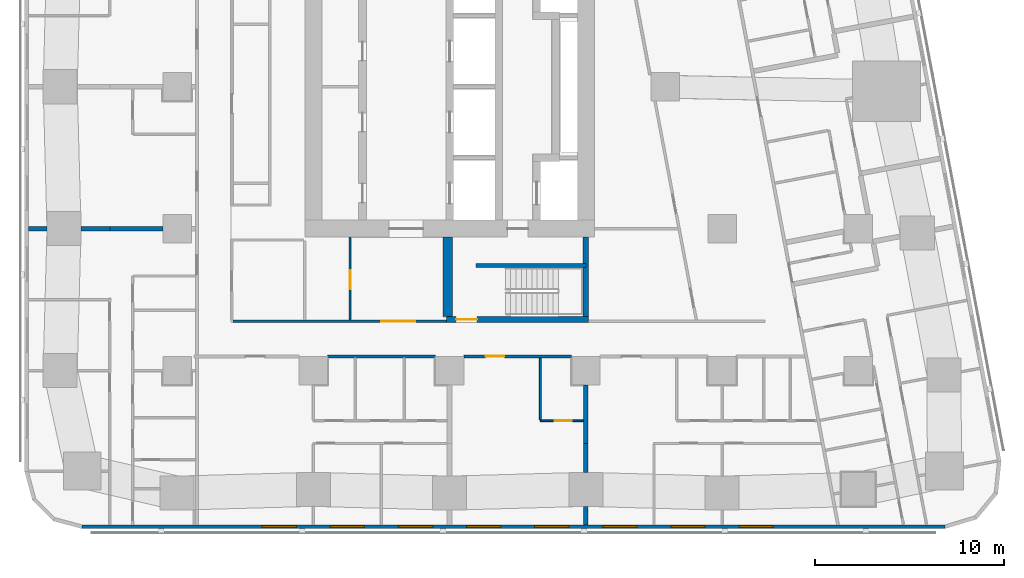
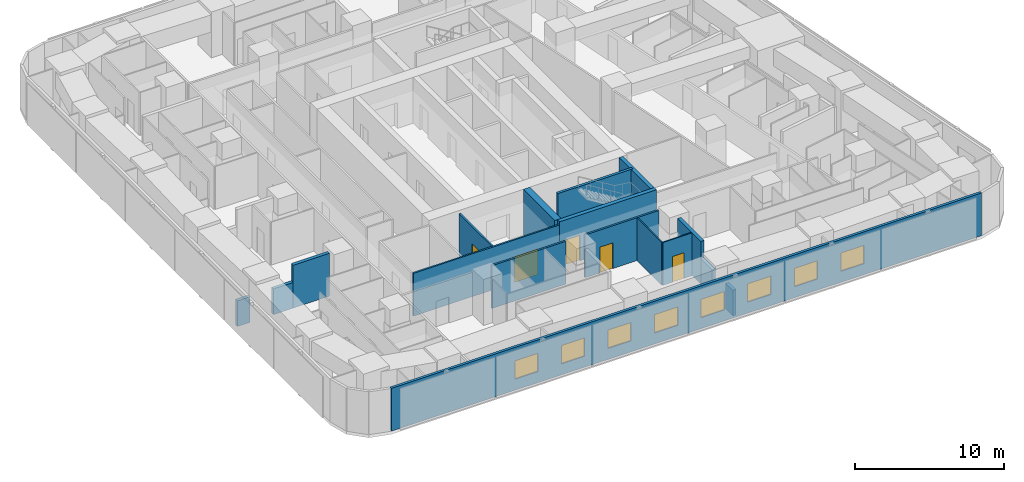
# One storey, part 3 of 15: 17 walls, 8 windows, 5 doors, 13 openings.
"""IFC4 building model written with IfcOpenShell, lengths in metres."""

import ifcopenshell
import ifcopenshell.guid

model = None  # the IFC model being written
_history = None  # IfcOwnerHistory: only IFC2X3 demands one
_inside = {}  # id of a spatial element -> (the spatial element, [elements in it])
_under = {}  # id of a project, library or spatial element -> (it, [spatial elements below it])
_declared = {}  # id of a project -> (the project, [libraries it declares])
_typed = {}  # id of a type object -> (the type object, [elements of that type])
_made_of = {}  # id of a material, layer set ... -> (it, [elements and type objects made of it])


def new_model(schema):
    """Start an empty IFC model of exactly this schema.

    Asked for "IFC4X3", IfcOpenShell would pick the latest addendum, in which some entities
    have other attributes; the version numbers below select the first issue.
    IFC2X3 requires an IfcOwnerHistory on every rooted entity: one is made here for all.
    """
    global model, _history
    if schema == "IFC4X3":
        model = ifcopenshell.file(schema_version=(4, 3, 0, 0))
    else:
        model = ifcopenshell.file(schema=schema)
    _inside.clear()
    _under.clear()
    _declared.clear()
    _typed.clear()
    _made_of.clear()
    _history = None
    if model.schema == "IFC2X3":
        org = make("IfcOrganization", Name="unknown")
        user = make(
            "IfcPersonAndOrganization",
            ThePerson=make("IfcPerson", FamilyName="unknown"),
            TheOrganization=org,
        )
        app = make(
            "IfcApplication",
            ApplicationDeveloper=org,
            Version="unknown",
            ApplicationFullName="unknown",
            ApplicationIdentifier="unknown",
        )
        _history = make(
            "IfcOwnerHistory",
            OwningUser=user,
            OwningApplication=app,
            ChangeAction="ADDED",
            CreationDate=0,
        )
    return model


def make(cls, **values):
    """One entity of the class cls with the attributes given. An attribute that is None is left unset."""
    return model.create_entity(
        cls, **{name: value for name, value in values.items() if value is not None}
    )


def rooted(cls, **values):
    """An entity with a GlobalId (a new one), such as an element, a storey or a relation."""
    return make(cls, GlobalId=ifcopenshell.guid.new(), OwnerHistory=_history, **values)


def si_unit(unit_type, name, prefix=None):
    """IfcSIUnit, for example si_unit("LENGTHUNIT", "METRE", prefix="MILLI")."""
    return make("IfcSIUnit", UnitType=unit_type, Prefix=prefix, Name=name)


def assignment(units):
    """IfcUnitAssignment: the units of a project."""
    return None if units is None else make("IfcUnitAssignment", Units=units)


def point(xyz):
    """IfcCartesianPoint."""
    return None if xyz is None else make("IfcCartesianPoint", Coordinates=xyz)


def direction(xyz):
    """IfcDirection."""
    return None if xyz is None else make("IfcDirection", DirectionRatios=xyz)


def frame(location, z_axis=None, x_axis=None):
    """IfcAxis2Placement3D, a coordinate frame: its origin and axes. An axis left out is left unset."""
    return make(
        "IfcAxis2Placement3D",
        Location=point(location),
        Axis=direction(z_axis),
        RefDirection=direction(x_axis),
    )


def frame_2d(location, x_axis=None):
    """IfcAxis2Placement2D, a coordinate frame in the plane: its origin and x axis."""
    return make(
        "IfcAxis2Placement2D", Location=point(location), RefDirection=direction(x_axis)
    )


def origin():
    """The frame at (0, 0, 0) with its axes left unset."""
    return frame((0.0, 0.0, 0.0))


def place(relative_to, where):
    """IfcLocalPlacement: puts the frame where relative to a parent placement (None: the world)."""
    return make(
        "IfcLocalPlacement", PlacementRelTo=relative_to, RelativePlacement=where
    )


def context(
    kind, dimensions, precision=None, world=None, true_north=None, identifier=None
):
    """IfcGeometricRepresentationContext, for example the 3D "Model" context."""
    return make(
        "IfcGeometricRepresentationContext",
        ContextIdentifier=identifier,
        ContextType=kind,
        CoordinateSpaceDimension=dimensions,
        Precision=precision,
        WorldCoordinateSystem=world,
        TrueNorth=true_north,
    )


def subcontext(parent, identifier, kind, view, scale=None):
    """IfcGeometricRepresentationSubContext, for example "Body" below "Model"."""
    return make(
        "IfcGeometricRepresentationSubContext",
        ContextIdentifier=identifier,
        ContextType=kind,
        ParentContext=parent,
        TargetScale=scale,
        TargetView=view,
    )


def project(units=None, contexts=None):
    """IfcProject with its units and contexts."""
    return rooted(
        "IfcProject",
        Name="project",
        RepresentationContexts=contexts,
        UnitsInContext=assignment(units),
    )


def spatial(cls, under=None, at=None, **own):
    """A site, building, storey or space (cls), placed at a placement, below another one or the project."""
    s = rooted(cls, ObjectPlacement=at, **own)
    if under is not None:
        _under.setdefault(under.id(), (under, []))[1].append(s)
    return s


def profile(cls, at=None, kind="AREA", **sizes):
    """A parametric profile (cls). Its sizes go by their IFC names, for example OverallWidth=200.0."""
    return make(cls, ProfileType=kind, Position=at, **sizes)


def rectangle(**sizes):
    """IfcRectangleProfileDef."""
    return profile("IfcRectangleProfileDef", **sizes)


def extrude(swept, where, along, depth):
    """IfcExtrudedAreaSolid: the profile swept, set in the frame where, extruded along a direction by depth."""
    return make(
        "IfcExtrudedAreaSolid",
        SweptArea=swept,
        Position=where,
        ExtrudedDirection=direction(along),
        Depth=depth,
    )


def shape(context_of_items, identifier, shape_type, items):
    """IfcShapeRepresentation: the items that make up one representation, for example the "Body"."""
    return make(
        "IfcShapeRepresentation",
        ContextOfItems=context_of_items,
        RepresentationIdentifier=identifier,
        RepresentationType=shape_type,
        Items=items,
    )


def material(Name=None, Category=None):
    """IfcMaterial."""
    return make("IfcMaterial", Name=Name, Category=Category)


def layer(
    of_material, thickness, ventilated=None, Name=None, Category=None, Priority=None
):
    """IfcMaterialLayer: one layer of a wall or slab, of a material (None: an air gap)."""
    return make(
        "IfcMaterialLayer",
        Material=of_material,
        LayerThickness=thickness,
        IsVentilated=ventilated,
        Name=Name,
        Category=Category,
        Priority=Priority,
    )


def layer_set(layers, Name=None):
    """IfcMaterialLayerSet."""
    return make("IfcMaterialLayerSet", MaterialLayers=layers, LayerSetName=Name)


def made_of(thing, what):
    """Note that an element or type object is made of a material, layer set ...; save() writes the relation."""
    if what is not None:
        _made_of.setdefault(what.id(), (what, []))[1].append(thing)
    return thing


def type_object(cls, material=None, **own):
    """A type object (cls), such as IfcWallType, which elements share."""
    return made_of(rooted(cls, **own), material)


def element(
    cls,
    number,
    at=None,
    inside=None,
    cuts=None,
    type_object=None,
    material=None,
    context=None,
    identifier="Body",
    shape_type=None,
    held_by="IfcProductDefinitionShape",
    body=None,
    shapes=None,
    **own,
):
    """One element of the class cls, such as IfcWall. Its Tag is "e" and its number.

    at: its placement. inside: the storey or other place that contains it. cuts: it is an
    opening in that element (IfcRelVoidsElement). A single representation is given by context,
    identifier, shape_type and body (its items); several are given by shapes. held_by: the class
    of the entity that holds the representations. save() writes the other relations.
    """
    e = rooted(cls, Tag="e%d" % number, ObjectPlacement=at, **own)
    if body is not None:
        shapes = [shape(context, identifier, shape_type, body)]
    if shapes is not None:
        e.Representation = make(held_by, Representations=shapes)
    if inside is not None:
        _inside.setdefault(inside.id(), (inside, []))[1].append(e)
    if cuts is not None:
        rooted(
            "IfcRelVoidsElement", RelatingBuildingElement=cuts, RelatedOpeningElement=e
        )
    if type_object is not None:
        _typed.setdefault(type_object.id(), (type_object, []))[1].append(e)
    return made_of(e, material)


def fill(opening, filler):
    """IfcRelFillsElement: the door or window that sits in an opening."""
    return rooted(
        "IfcRelFillsElement",
        RelatingOpeningElement=opening,
        RelatedBuildingElement=filler,
    )


def aggregate(whole, parts):
    """IfcRelAggregates: a whole, such as a stair, and the parts it consists of."""
    return rooted("IfcRelAggregates", RelatingObject=whole, RelatedObjects=parts)


def save(model, path):
    """Write the relations noted so far, then the file.

    IfcRelAggregates (storeys below a building ...), IfcRelContainedInSpatialStructure (elements
    in a storey), IfcRelDefinesByType, IfcRelAssociatesMaterial and IfcRelDeclares: one each for
    every whole, place, type object, material and project.
    """
    for whole, parts in _under.values():
        aggregate(whole, parts)
    for where, things in _inside.values():
        rooted(
            "IfcRelContainedInSpatialStructure",
            RelatedElements=things,
            RelatingStructure=where,
        )
    for kind, things in _typed.values():
        rooted("IfcRelDefinesByType", RelatedObjects=things, RelatingType=kind)
    for what, things in _made_of.values():
        rooted("IfcRelAssociatesMaterial", RelatedObjects=things, RelatingMaterial=what)
    for by, libraries in _declared.values():
        rooted("IfcRelDeclares", RelatingContext=by, RelatedDefinitions=libraries)
    model.write(path)


model = new_model("IFC4")

# Units and contexts
model_context = context("Model", 3, precision=1e-05, world=origin(), true_north=direction((0.0, 1.0)))
body_context = subcontext(model_context, "Body", "Model", "MODEL_VIEW")
ifc_project = project(units=[si_unit("LENGTHUNIT", "METRE"), si_unit("AREAUNIT", "SQUARE_METRE"), si_unit("VOLUMEUNIT", "CUBIC_METRE"), si_unit("PLANEANGLEUNIT", "RADIAN"), si_unit("MASSUNIT", "GRAM", prefix="KILO")], contexts=[model_context])

# Site, building, storey
site_placement = place(None, origin())
site = spatial("IfcSite", under=ifc_project, at=site_placement, CompositionType="ELEMENT")
building_placement = place(site_placement, origin())
building = spatial("IfcBuilding", under=site, at=building_placement, Name="Sheger Commons Tower", CompositionType="ELEMENT")
storey_placement = place(building_placement, frame((0.0, 0.0, 169.550048828125)))
storey = spatial("IfcBuildingStorey", under=building, at=storey_placement, Name="L43", CompositionType="ELEMENT", Elevation=169.550048828125)

# Wall, opening, door
ifc_material_1 = material(Name="Hollow concrete block masonry, skimmed both sides", Category="masonry")
ifc_layer_1 = layer(ifc_material_1, 0.14990234375)
ifc_layer_set_1 = layer_set([ifc_layer_1], Name="CORRIDOR WALL 150")
wall_type_1 = type_object("IfcWallType", Name="CORRIDOR WALL 150", PredefinedType="SOLIDWALL", material=ifc_layer_set_1)
wall_1_placement = place(storey_placement, frame((28.049072265625, 8.25, 0.0), z_axis=(0.0, 0.0, 1.0), x_axis=(-1.0, 0.0, 0.0)))
wall_1 = element("IfcWall", 1, at=wall_1_placement, inside=storey, type_object=wall_type_1, Name="Corridor wall L43", PredefinedType="SOLIDWALL", context=body_context, shape_type="SweptSolid", body=[
    extrude(rectangle(XDim=5.697998046875, YDim=0.14990234375, at=frame_2d((2.84912109375, 0.0))), origin(), (0.0, 0.0, 1.0), 3.5),
])
opening_1_placement = place(wall_1_placement, frame((3.549072265625, 0.0, 0.0)))
opening_1 = element("IfcOpeningElement", 2, at=opening_1_placement, cuts=wall_1, Name="Opening D1", PredefinedType="OPENING", context=body_context, shape_type="SweptSolid", body=[
    extrude(rectangle(XDim=1.0, YDim=2.10009765625, at=frame_2d((0.5, 1.050048828125))), frame((0.0, 0.0849609375, 0.0), z_axis=(0.0, -1.0, 0.0), x_axis=(1.0, 0.0, 0.0)), (0.0, 0.0, 1.0), 0.169921875),
])
ifc_material_2 = material(Name="Steel door set, fire rated", Category="steel")
door_type_1 = type_object("IfcDoorType", Name="FLAT ENTRANCE DOOR 1000x2100", OperationType="NOTDEFINED", PredefinedType="DOOR", material=ifc_material_2)
door_1_placement = place(opening_1_placement, origin())
door_1 = element("IfcDoor", 3, at=door_1_placement, inside=storey, type_object=door_type_1, Name="Flat entrance door", OperationType="SINGLE_SWING_RIGHT", OverallHeight=2.10009765625, OverallWidth=1.0, PredefinedType="DOOR", context=body_context, shape_type="SweptSolid", body=[
    extrude(rectangle(XDim=1.0, YDim=2.10009765625, at=frame_2d((0.5, 1.050048828125))), frame((0.0, 0.02490234375, 0.0), z_axis=(0.0, -1.0, 0.0), x_axis=(1.0, 0.0, 0.0)), (0.0, 0.0, 1.0), 0.050048828125),
])
fill(opening_1, door_1)

# Walls
wall_2_placement = place(storey_placement, frame((20.84912109375, 8.25, 0.0), z_axis=(0.0, 0.0, 1.0), x_axis=(-1.0, 0.0, 0.0)))
element("IfcWall", 4, at=wall_2_placement, inside=storey, type_object=wall_type_1, Name="Corridor wall L43", PredefinedType="SOLIDWALL", context=body_context, shape_type="SweptSolid", body=[
    extrude(rectangle(XDim=5.6982421875, YDim=0.14990234375, at=frame_2d((2.84912109375, 0.0))), origin(), (0.0, 0.0, 1.0), 3.5),
])
ifc_material_3 = material(Name="Dense concrete block masonry, plastered both sides (separating wall between flats)", Category="masonry")
ifc_layer_2 = layer(ifc_material_3, 0.25)
ifc_layer_set_2 = layer_set([ifc_layer_2], Name="DEMISING WALL 250")
wall_type_2 = type_object("IfcWallType", Name="DEMISING WALL 250", PredefinedType="SOLIDWALL", material=ifc_layer_set_2)
wall_3_placement = place(storey_placement, frame((-0.64990234375, 15.0, 0.0), z_axis=(0.0, 0.0, 1.0), x_axis=(1.0, 0.0, 0.0)))
element("IfcWall", 5, at=wall_3_placement, inside=storey, type_object=wall_type_2, Name="Demising wall L43", PredefinedType="SOLIDWALL", context=body_context, shape_type="SweptSolid", body=[
    extrude(rectangle(XDim=0.973876953125, YDim=0.25, at=frame_2d((0.48681640625, 0.0))), origin(), (0.0, 0.0, 1.0), 2.099853515625),
])
wall_4_placement = place(storey_placement, frame((2.1259765625, 15.0, 0.0), z_axis=(0.0, 0.0, 1.0), x_axis=(1.0, 0.0, 0.0)))
element("IfcWall", 6, at=wall_4_placement, inside=storey, type_object=wall_type_2, Name="Demising wall L43", PredefinedType="SOLIDWALL", context=body_context, shape_type="SweptSolid", body=[
    extrude(rectangle(XDim=1.52392578125, YDim=0.25, at=frame_2d((0.761962890625, 0.0))), origin(), (0.0, 0.0, 1.0), 2.099853515625),
])
wall_5_placement = place(storey_placement, frame((3.64990234375, 15.0, 0.0), z_axis=(0.0, 0.0, 1.0), x_axis=(1.0, 0.0, 0.0)))
element("IfcWall", 7, at=wall_5_placement, inside=storey, type_object=wall_type_2, Name="Demising wall L43", PredefinedType="SOLIDWALL", context=body_context, shape_type="SweptSolid", body=[
    extrude(rectangle(XDim=2.799072265625, YDim=0.25, at=frame_2d((1.3994140625, 0.0))), origin(), (0.0, 0.0, 1.0), 3.5),
])
wall_6_placement = place(storey_placement, frame((28.800048828125, -0.64990234375, 0.0), z_axis=(0.0, 0.0, 1.0), x_axis=(0.0, 1.0, 0.0)))
element("IfcWall", 8, at=wall_6_placement, inside=storey, type_object=wall_type_2, Name="Demising wall L43", PredefinedType="SOLIDWALL", context=body_context, shape_type="SweptSolid", body=[
    extrude(rectangle(XDim=0.973876953125, YDim=0.25, at=frame_2d((0.48681640625, 0.0))), origin(), (0.0, 0.0, 1.0), 2.099853515625),
])
wall_7_placement = place(storey_placement, frame((28.800048828125, 2.1259765625, 0.0), z_axis=(0.0, 0.0, 1.0), x_axis=(0.0, 1.0, 0.0)))
element("IfcWall", 9, at=wall_7_placement, inside=storey, type_object=wall_type_2, Name="Demising wall L43", PredefinedType="SOLIDWALL", context=body_context, shape_type="SweptSolid", body=[
    extrude(rectangle(XDim=1.52392578125, YDim=0.25, at=frame_2d((0.761962890625, 0.0))), origin(), (0.0, 0.0, 1.0), 2.099853515625),
])
wall_8_placement = place(storey_placement, frame((28.800048828125, 3.64990234375, 0.0), z_axis=(0.0, 0.0, 1.0), x_axis=(0.0, 1.0, 0.0)))
element("IfcWall", 10, at=wall_8_placement, inside=storey, type_object=wall_type_2, Name="Demising wall L43", PredefinedType="SOLIDWALL", context=body_context, shape_type="SweptSolid", body=[
    extrude(rectangle(XDim=3.09912109375, YDim=0.25, at=frame_2d((1.549560546875, 0.0))), origin(), (0.0, 0.0, 1.0), 3.5),
])

# Wall, openings, windows
ifc_material_4 = material(Name="Rendered concrete block masonry, dark grey", Category="masonry")
ifc_layer_3 = layer(ifc_material_4, 0.199951171875)
ifc_layer_set_3 = layer_set([ifc_layer_3], Name="FACADE WALL 200")
wall_type_3 = type_object("IfcWallType", Name="FACADE WALL 200", PredefinedType="SOLIDWALL", material=ifc_layer_set_3)
wall_9_placement = place(storey_placement, frame((2.1630859375, -0.75, 0.0), z_axis=(0.0, 0.0, 1.0), x_axis=(1.0, 0.0, 0.0)))
wall_9 = element("IfcWall", 11, at=wall_9_placement, inside=storey, type_object=wall_type_3, Name="Facade wall L43", PredefinedType="SOLIDWALL", context=body_context, shape_type="SweptSolid", body=[
    extrude(rectangle(XDim=45.6279296875, YDim=0.199951171875, at=frame_2d((22.81396484375, 0.0))), origin(), (0.0, 0.0, 1.0), 3.5),
])
opening_2_placement = place(wall_9_placement, frame((9.537109375, 0.0, 0.89990234375)))
opening_2 = element("IfcOpeningElement", 12, at=opening_2_placement, cuts=wall_9, Name="Opening W2", PredefinedType="OPENING", context=body_context, shape_type="SweptSolid", body=[
    extrude(rectangle(XDim=1.800048828125, YDim=1.5, at=frame_2d((0.89990234375, 0.75))), frame((0.0, 0.10986328125, 0.0), z_axis=(0.0, -1.0, 0.0), x_axis=(1.0, 0.0, 0.0)), (0.0, 0.0, 1.0), 0.219970703125),
])
opening_3_placement = place(wall_9_placement, frame((13.136962890625, 0.0, 0.89990234375)))
opening_3 = element("IfcOpeningElement", 13, at=opening_3_placement, cuts=wall_9, Name="Opening W2", PredefinedType="OPENING", context=body_context, shape_type="SweptSolid", body=[
    extrude(rectangle(XDim=1.800048828125, YDim=1.5, at=frame_2d((0.89990234375, 0.75))), frame((0.0, 0.10986328125, 0.0), z_axis=(0.0, -1.0, 0.0), x_axis=(1.0, 0.0, 0.0)), (0.0, 0.0, 1.0), 0.219970703125),
])
opening_4_placement = place(wall_9_placement, frame((16.737060546875, 0.0, 0.89990234375)))
opening_4 = element("IfcOpeningElement", 14, at=opening_4_placement, cuts=wall_9, Name="Opening W2", PredefinedType="OPENING", context=body_context, shape_type="SweptSolid", body=[
    extrude(rectangle(XDim=1.800048828125, YDim=1.5, at=frame_2d((0.89990234375, 0.75))), frame((0.0, 0.10986328125, 0.0), z_axis=(0.0, -1.0, 0.0), x_axis=(1.0, 0.0, 0.0)), (0.0, 0.0, 1.0), 0.219970703125),
])
opening_5_placement = place(wall_9_placement, frame((20.3369140625, 0.0, 0.89990234375)))
opening_5 = element("IfcOpeningElement", 15, at=opening_5_placement, cuts=wall_9, Name="Opening W2", PredefinedType="OPENING", context=body_context, shape_type="SweptSolid", body=[
    extrude(rectangle(XDim=1.800048828125, YDim=1.5, at=frame_2d((0.89990234375, 0.75))), frame((0.0, 0.10986328125, 0.0), z_axis=(0.0, -1.0, 0.0), x_axis=(1.0, 0.0, 0.0)), (0.0, 0.0, 1.0), 0.219970703125),
])
opening_6_placement = place(wall_9_placement, frame((23.93701171875, 0.0, 0.89990234375)))
opening_6 = element("IfcOpeningElement", 16, at=opening_6_placement, cuts=wall_9, Name="Opening W2", PredefinedType="OPENING", context=body_context, shape_type="SweptSolid", body=[
    extrude(rectangle(XDim=1.800048828125, YDim=1.5, at=frame_2d((0.89990234375, 0.75))), frame((0.0, 0.10986328125, 0.0), z_axis=(0.0, -1.0, 0.0), x_axis=(1.0, 0.0, 0.0)), (0.0, 0.0, 1.0), 0.219970703125),
])
opening_7_placement = place(wall_9_placement, frame((27.537109375, 0.0, 0.89990234375)))
opening_7 = element("IfcOpeningElement", 17, at=opening_7_placement, cuts=wall_9, Name="Opening W2", PredefinedType="OPENING", context=body_context, shape_type="SweptSolid", body=[
    extrude(rectangle(XDim=1.800048828125, YDim=1.5, at=frame_2d((0.89990234375, 0.75))), frame((0.0, 0.10986328125, 0.0), z_axis=(0.0, -1.0, 0.0), x_axis=(1.0, 0.0, 0.0)), (0.0, 0.0, 1.0), 0.219970703125),
])
opening_8_placement = place(wall_9_placement, frame((31.136962890625, 0.0, 0.89990234375)))
opening_8 = element("IfcOpeningElement", 18, at=opening_8_placement, cuts=wall_9, Name="Opening W2", PredefinedType="OPENING", context=body_context, shape_type="SweptSolid", body=[
    extrude(rectangle(XDim=1.800048828125, YDim=1.5, at=frame_2d((0.89990234375, 0.75))), frame((0.0, 0.10986328125, 0.0), z_axis=(0.0, -1.0, 0.0), x_axis=(1.0, 0.0, 0.0)), (0.0, 0.0, 1.0), 0.219970703125),
])
opening_9_placement = place(wall_9_placement, frame((34.737060546875, 0.0, 0.89990234375)))
opening_9 = element("IfcOpeningElement", 19, at=opening_9_placement, cuts=wall_9, Name="Opening W2", PredefinedType="OPENING", context=body_context, shape_type="SweptSolid", body=[
    extrude(rectangle(XDim=1.800048828125, YDim=1.5, at=frame_2d((0.89990234375, 0.75))), frame((0.0, 0.10986328125, 0.0), z_axis=(0.0, -1.0, 0.0), x_axis=(1.0, 0.0, 0.0)), (0.0, 0.0, 1.0), 0.219970703125),
])
ifc_material_5 = material(Name="Black aluminium frame, dark tinted double glazing", Category="aluminium")
window_type = type_object("IfcWindowType", Name="WINDOW W2 1800x1500", PartitioningType="SINGLE_PANEL", PredefinedType="WINDOW", material=ifc_material_5)
window_1_placement = place(opening_2_placement, origin())
window_1 = element("IfcWindow", 20, at=window_1_placement, inside=storey, type_object=window_type, Name="Window W2 1800X1500", OverallHeight=1.5, OverallWidth=1.800048828125, PartitioningType="SINGLE_PANEL", PredefinedType="WINDOW", context=body_context, shape_type="SweptSolid", body=[
    extrude(rectangle(XDim=1.800048828125, YDim=1.5, at=frame_2d((0.89990234375, 0.75))), frame((0.0, 0.030029296875, 0.0), z_axis=(0.0, -1.0, 0.0), x_axis=(1.0, 0.0, 0.0)), (0.0, 0.0, 1.0), 0.06005859375),
])
fill(opening_2, window_1)
window_2_placement = place(opening_3_placement, origin())
window_2 = element("IfcWindow", 21, at=window_2_placement, inside=storey, type_object=window_type, Name="Window W2 1800X1500", OverallHeight=1.5, OverallWidth=1.800048828125, PartitioningType="SINGLE_PANEL", PredefinedType="WINDOW", context=body_context, shape_type="SweptSolid", body=[
    extrude(rectangle(XDim=1.800048828125, YDim=1.5, at=frame_2d((0.89990234375, 0.75))), frame((0.0, 0.030029296875, 0.0), z_axis=(0.0, -1.0, 0.0), x_axis=(1.0, 0.0, 0.0)), (0.0, 0.0, 1.0), 0.06005859375),
])
fill(opening_3, window_2)
window_3_placement = place(opening_4_placement, origin())
window_3 = element("IfcWindow", 22, at=window_3_placement, inside=storey, type_object=window_type, Name="Window W2 1800X1500", OverallHeight=1.5, OverallWidth=1.800048828125, PartitioningType="SINGLE_PANEL", PredefinedType="WINDOW", context=body_context, shape_type="SweptSolid", body=[
    extrude(rectangle(XDim=1.800048828125, YDim=1.5, at=frame_2d((0.89990234375, 0.75))), frame((0.0, 0.030029296875, 0.0), z_axis=(0.0, -1.0, 0.0), x_axis=(1.0, 0.0, 0.0)), (0.0, 0.0, 1.0), 0.06005859375),
])
fill(opening_4, window_3)
window_4_placement = place(opening_5_placement, origin())
window_4 = element("IfcWindow", 23, at=window_4_placement, inside=storey, type_object=window_type, Name="Window W2 1800X1500", OverallHeight=1.5, OverallWidth=1.800048828125, PartitioningType="SINGLE_PANEL", PredefinedType="WINDOW", context=body_context, shape_type="SweptSolid", body=[
    extrude(rectangle(XDim=1.800048828125, YDim=1.5, at=frame_2d((0.89990234375, 0.75))), frame((0.0, 0.030029296875, 0.0), z_axis=(0.0, -1.0, 0.0), x_axis=(1.0, 0.0, 0.0)), (0.0, 0.0, 1.0), 0.06005859375),
])
fill(opening_5, window_4)
window_5_placement = place(opening_6_placement, origin())
window_5 = element("IfcWindow", 24, at=window_5_placement, inside=storey, type_object=window_type, Name="Window W2 1800X1500", OverallHeight=1.5, OverallWidth=1.800048828125, PartitioningType="SINGLE_PANEL", PredefinedType="WINDOW", context=body_context, shape_type="SweptSolid", body=[
    extrude(rectangle(XDim=1.800048828125, YDim=1.5, at=frame_2d((0.89990234375, 0.75))), frame((0.0, 0.030029296875, 0.0), z_axis=(0.0, -1.0, 0.0), x_axis=(1.0, 0.0, 0.0)), (0.0, 0.0, 1.0), 0.06005859375),
])
fill(opening_6, window_5)
window_6_placement = place(opening_7_placement, origin())
window_6 = element("IfcWindow", 25, at=window_6_placement, inside=storey, type_object=window_type, Name="Window W2 1800X1500", OverallHeight=1.5, OverallWidth=1.800048828125, PartitioningType="SINGLE_PANEL", PredefinedType="WINDOW", context=body_context, shape_type="SweptSolid", body=[
    extrude(rectangle(XDim=1.800048828125, YDim=1.5, at=frame_2d((0.89990234375, 0.75))), frame((0.0, 0.030029296875, 0.0), z_axis=(0.0, -1.0, 0.0), x_axis=(1.0, 0.0, 0.0)), (0.0, 0.0, 1.0), 0.06005859375),
])
fill(opening_7, window_6)
window_7_placement = place(opening_8_placement, origin())
window_7 = element("IfcWindow", 26, at=window_7_placement, inside=storey, type_object=window_type, Name="Window W2 1800X1500", OverallHeight=1.5, OverallWidth=1.800048828125, PartitioningType="SINGLE_PANEL", PredefinedType="WINDOW", context=body_context, shape_type="SweptSolid", body=[
    extrude(rectangle(XDim=1.800048828125, YDim=1.5, at=frame_2d((0.89990234375, 0.75))), frame((0.0, 0.030029296875, 0.0), z_axis=(0.0, -1.0, 0.0), x_axis=(1.0, 0.0, 0.0)), (0.0, 0.0, 1.0), 0.06005859375),
])
fill(opening_8, window_7)
window_8_placement = place(opening_9_placement, origin())
window_8 = element("IfcWindow", 27, at=window_8_placement, inside=storey, type_object=window_type, Name="Window W2 1800X1500", OverallHeight=1.5, OverallWidth=1.800048828125, PartitioningType="SINGLE_PANEL", PredefinedType="WINDOW", context=body_context, shape_type="SweptSolid", body=[
    extrude(rectangle(XDim=1.800048828125, YDim=1.5, at=frame_2d((0.89990234375, 0.75))), frame((0.0, 0.030029296875, 0.0), z_axis=(0.0, -1.0, 0.0), x_axis=(1.0, 0.0, 0.0)), (0.0, 0.0, 1.0), 0.06005859375),
])
fill(opening_9, window_8)

# Wall, opening, door
ifc_material_6 = material(Name="Gypsum board on steel studs", Category="steel")
ifc_layer_4 = layer(ifc_material_6, 0.10009765625)
ifc_layer_set_4 = layer_set([ifc_layer_4], Name="PARTITION 100")
wall_type_4 = type_object("IfcWallType", Name="PARTITION 100", PredefinedType="PARTITIONING", material=ifc_layer_set_4)
wall_10_placement = place(storey_placement, frame((28.675048828125, 4.85009765625, 0.0), z_axis=(0.0, 0.0, 1.0), x_axis=(-1.0, 0.0, 0.0)))
wall_10 = element("IfcWall", 28, at=wall_10_placement, inside=storey, type_object=wall_type_4, Name="Partition L43", PredefinedType="PARTITIONING", context=body_context, shape_type="SweptSolid", body=[
    extrude(rectangle(XDim=2.276123046875, YDim=0.10009765625, at=frame_2d((1.13818359375, 0.0))), origin(), (0.0, 0.0, 1.0), 3.5),
])
opening_10_placement = place(wall_10_placement, frame((0.6259765625, 0.0, 0.0)))
opening_10 = element("IfcOpeningElement", 29, at=opening_10_placement, cuts=wall_10, Name="Opening D2", PredefinedType="OPENING", context=body_context, shape_type="SweptSolid", body=[
    extrude(rectangle(XDim=0.89990234375, YDim=2.10009765625, at=frame_2d((0.449951171875, 1.050048828125))), frame((0.0, 0.06005859375, 0.0), z_axis=(0.0, -1.0, 0.0), x_axis=(1.0, 0.0, 0.0)), (0.0, 0.0, 1.0), 0.1201171875),
])
ifc_material_7 = material(Name="Timber door set", Category="wood")
door_type_2 = type_object("IfcDoorType", Name="INTERNAL DOOR 900x2100", OperationType="NOTDEFINED", PredefinedType="DOOR", material=ifc_material_7)
door_2_placement = place(opening_10_placement, origin())
door_2 = element("IfcDoor", 30, at=door_2_placement, inside=storey, type_object=door_type_2, Name="Bathroom door", OperationType="SINGLE_SWING_RIGHT", OverallHeight=2.10009765625, OverallWidth=0.89990234375, PredefinedType="DOOR", context=body_context, shape_type="SweptSolid", body=[
    extrude(rectangle(XDim=0.89990234375, YDim=2.10009765625, at=frame_2d((0.449951171875, 1.050048828125))), frame((0.0, 0.02490234375, 0.0), z_axis=(0.0, -1.0, 0.0), x_axis=(1.0, 0.0, 0.0)), (0.0, 0.0, 1.0), 0.050048828125),
])
fill(opening_10, door_2)

# Wall
wall_11_placement = place(storey_placement, frame((26.39892578125, 4.89990234375, 0.0), z_axis=(0.0, 0.0, 1.0), x_axis=(0.0, 1.0, 0.0)))
element("IfcWall", 31, at=wall_11_placement, inside=storey, type_object=wall_type_4, Name="Partition L43", PredefinedType="PARTITIONING", context=body_context, shape_type="SweptSolid", body=[
    extrude(rectangle(XDim=3.275146484375, YDim=0.10009765625, at=frame_2d((1.6376953125, 0.0))), origin(), (0.0, 0.0, 1.0), 3.5),
])

# Wall, opening, door
ifc_material_8 = material(Name="Gypsum board on steel studs, two layers each side, fire rated", Category="steel")
ifc_layer_5 = layer(ifc_material_8, 0.125)
ifc_layer_set_5 = layer_set([ifc_layer_5], Name="SERVICE WALL 125")
wall_type_5 = type_object("IfcWallType", Name="SERVICE WALL 125", PredefinedType="PARTITIONING", material=ifc_layer_set_5)
wall_12_placement = place(storey_placement, frame((10.162109375, 10.10009765625, 0.0), z_axis=(0.0, 0.0, 1.0), x_axis=(1.0, 0.0, 0.0)))
wall_12 = element("IfcWall", 32, at=wall_12_placement, inside=storey, type_object=wall_type_5, Name="Service room wall L43", PredefinedType="PARTITIONING", context=body_context, shape_type="SweptSolid", body=[
    extrude(rectangle(XDim=11.287841796875, YDim=0.125, at=frame_2d((5.64404296875, 0.0))), origin(), (0.0, 0.0, 1.0), 3.5),
])
opening_11_placement = place(wall_12_placement, frame((7.8330078125, 0.0, 0.0)))
opening_11 = element("IfcOpeningElement", 33, at=opening_11_placement, cuts=wall_12, Name="Opening D6", PredefinedType="OPENING", context=body_context, shape_type="SweptSolid", body=[
    extrude(rectangle(XDim=1.800048828125, YDim=2.10009765625, at=frame_2d((0.89990234375, 1.050048828125))), frame((0.0, 0.072509765625, 0.0), z_axis=(0.0, -1.0, 0.0), x_axis=(1.0, 0.0, 0.0)), (0.0, 0.0, 1.0), 0.14501953125),
])
ifc_material_9 = material(Name="Steel door set, fire rated", Category="steel")
door_type_3 = type_object("IfcDoorType", Name="LOBBY DOUBLE DOOR 1800x2100", OperationType="DOUBLE_DOOR_SINGLE_SWING", PredefinedType="DOOR", material=ifc_material_9)
door_3_placement = place(opening_11_placement, origin())
door_3 = element("IfcDoor", 34, at=door_3_placement, inside=storey, type_object=door_type_3, Name="Lift lobby south door", OperationType="DOUBLE_DOOR_SINGLE_SWING", OverallHeight=2.10009765625, OverallWidth=1.800048828125, PredefinedType="DOOR", context=body_context, shape_type="SweptSolid", body=[
    extrude(rectangle(XDim=1.800048828125, YDim=2.10009765625, at=frame_2d((0.89990234375, 1.050048828125))), frame((0.0, 0.02490234375, 0.0), z_axis=(0.0, -1.0, 0.0), x_axis=(1.0, 0.0, 0.0)), (0.0, 0.0, 1.0), 0.050048828125),
])
fill(opening_11, door_3)

wall_13_placement = place(storey_placement, frame((16.340087890625, 10.1630859375, 0.0), z_axis=(0.0, 0.0, 1.0), x_axis=(0.0, 1.0, 0.0)))
wall_13 = element("IfcWall", 35, at=wall_13_placement, inside=storey, type_object=wall_type_5, Name="Service room wall L43", PredefinedType="PARTITIONING", context=body_context, shape_type="SweptSolid", body=[
    extrude(rectangle(XDim=4.386962890625, YDim=0.125, at=frame_2d((2.193359375, 0.0))), origin(), (0.0, 0.0, 1.0), 3.5),
])
opening_12_placement = place(wall_13_placement, frame((1.636962890625, 0.0, 0.0)))
opening_12 = element("IfcOpeningElement", 36, at=opening_12_placement, cuts=wall_13, Name="Opening D4", PredefinedType="OPENING", context=body_context, shape_type="SweptSolid", body=[
    extrude(rectangle(XDim=1.0, YDim=2.10009765625, at=frame_2d((0.5, 1.050048828125))), frame((0.0, 0.072509765625, 0.0), z_axis=(0.0, -1.0, 0.0), x_axis=(1.0, 0.0, 0.0)), (0.0, 0.0, 1.0), 0.14501953125),
])
ifc_material_10 = material(Name="Steel door set, fire rated", Category="steel")
door_type_4 = type_object("IfcDoorType", Name="SERVICE DOOR 1000x2100", OperationType="NOTDEFINED", PredefinedType="DOOR", material=ifc_material_10)
door_4_placement = place(opening_12_placement, origin())
door_4 = element("IfcDoor", 37, at=door_4_placement, inside=storey, type_object=door_type_4, Name="Electrical room door", OperationType="SINGLE_SWING_LEFT", OverallHeight=2.10009765625, OverallWidth=1.0, PredefinedType="DOOR", context=body_context, shape_type="SweptSolid", body=[
    extrude(rectangle(XDim=1.0, YDim=2.10009765625, at=frame_2d((0.5, 1.050048828125))), frame((0.0, 0.02490234375, 0.0), z_axis=(0.0, -1.0, 0.0), x_axis=(1.0, 0.0, 0.0)), (0.0, 0.0, 1.0), 0.050048828125),
])
fill(opening_12, door_4)

ifc_material_11 = material(Name="Concrete C50/60", Category="concrete")
ifc_layer_6 = layer(ifc_material_11, 0.300048828125)
ifc_layer_set_6 = layer_set([ifc_layer_6], Name="STAIR CORE WALL 300")
wall_type_6 = type_object("IfcWallType", Name="STAIR CORE WALL 300", PredefinedType="SHEAR", material=ifc_layer_set_6)
wall_14_placement = place(storey_placement, frame((21.449951171875, 10.199951171875, 0.0), z_axis=(0.0, 0.0, 1.0), x_axis=(1.0, 0.0, 0.0)))
wall_14 = element("IfcWall", 38, at=wall_14_placement, inside=storey, type_object=wall_type_6, Name="STW-L43-S1S", PredefinedType="SHEAR", context=body_context, shape_type="SweptSolid", body=[
    extrude(rectangle(XDim=7.5, YDim=0.300048828125, at=frame_2d((3.75, 0.0))), origin(), (0.0, 0.0, 1.0), 3.75),
])
opening_13_placement = place(wall_14_placement, frame((0.5, 0.0, 0.0)))
opening_13 = element("IfcOpeningElement", 39, at=opening_13_placement, cuts=wall_14, Name="Opening D5", PredefinedType="OPENING", context=body_context, shape_type="SweptSolid", body=[
    extrude(rectangle(XDim=1.10009765625, YDim=2.10009765625, at=frame_2d((0.550048828125, 1.050048828125))), frame((0.0, 0.159912109375, 0.0), z_axis=(0.0, -1.0, 0.0), x_axis=(1.0, 0.0, 0.0)), (0.0, 0.0, 1.0), 0.320068359375),
])
ifc_material_12 = material(Name="Steel door set, fire rated", Category="steel")
door_type_5 = type_object("IfcDoorType", Name="STAIR DOOR 1100x2100", OperationType="NOTDEFINED", PredefinedType="DOOR", material=ifc_material_12)
door_5_placement = place(opening_13_placement, origin())
door_5 = element("IfcDoor", 40, at=door_5_placement, inside=storey, type_object=door_type_5, Name="Stair S1 door", OperationType="SINGLE_SWING_LEFT", OverallHeight=2.10009765625, OverallWidth=1.10009765625, PredefinedType="DOOR", context=body_context, shape_type="SweptSolid", body=[
    extrude(rectangle(XDim=1.10009765625, YDim=2.10009765625, at=frame_2d((0.550048828125, 1.050048828125))), frame((0.0, 0.02490234375, 0.0), z_axis=(0.0, -1.0, 0.0), x_axis=(1.0, 0.0, 0.0)), (0.0, 0.0, 1.0), 0.050048828125),
])
fill(opening_13, door_5)

# Walls
wall_15_placement = place(storey_placement, frame((28.800048828125, 10.35009765625, 0.0), z_axis=(0.0, 0.0, 1.0), x_axis=(0.0, 1.0, 0.0)))
element("IfcWall", 41, at=wall_15_placement, inside=storey, type_object=wall_type_6, Name="STW-L43-S1E", PredefinedType="SHEAR", context=body_context, shape_type="SweptSolid", body=[
    extrude(rectangle(XDim=4.199951171875, YDim=0.300048828125, at=frame_2d((2.10009765625, 0.0))), origin(), (0.0, 0.0, 1.0), 3.75),
])
ifc_material_13 = material(Name="Concrete C50/60", Category="concrete")
ifc_layer_7 = layer(ifc_material_13, 0.5)
ifc_layer_set_7 = layer_set([ifc_layer_7], Name="STAIR CORE WALL 500")
wall_type_7 = type_object("IfcWallType", Name="STAIR CORE WALL 500", PredefinedType="SHEAR", material=ifc_layer_set_7)
wall_16_placement = place(storey_placement, frame((21.5, 10.35009765625, 0.0), z_axis=(0.0, 0.0, 1.0), x_axis=(0.0, 1.0, 0.0)))
element("IfcWall", 42, at=wall_16_placement, inside=storey, type_object=wall_type_7, Name="STW-L43-S1W", PredefinedType="SHEAR", context=body_context, shape_type="SweptSolid", body=[
    extrude(rectangle(XDim=4.199951171875, YDim=0.5, at=frame_2d((2.10009765625, 0.0))), origin(), (0.0, 0.0, 1.0), 3.75),
])
ifc_material_14 = material(Name="Concrete C50/60", Category="concrete")
ifc_layer_8 = layer(ifc_material_14, 0.199951171875)
ifc_layer_set_8 = layer_set([ifc_layer_8], Name="STAIR SPINE WALL 200")
wall_type_8 = type_object("IfcWallType", Name="STAIR SPINE WALL 200", PredefinedType="SHEAR", material=ifc_layer_set_8)
wall_17_placement = place(storey_placement, frame((23.0, 13.050048828125, 0.0), z_axis=(0.0, 0.0, 1.0), x_axis=(1.0, 0.0, 0.0)))
element("IfcWall", 43, at=wall_17_placement, inside=storey, type_object=wall_type_8, Name="Stair spine wall L43", PredefinedType="SHEAR", context=body_context, shape_type="SweptSolid", body=[
    extrude(rectangle(XDim=5.800048828125, YDim=0.199951171875, at=frame_2d((2.89990234375, 0.0))), origin(), (0.0, 0.0, 1.0), 3.75),
])

save(model, "model.ifc")
